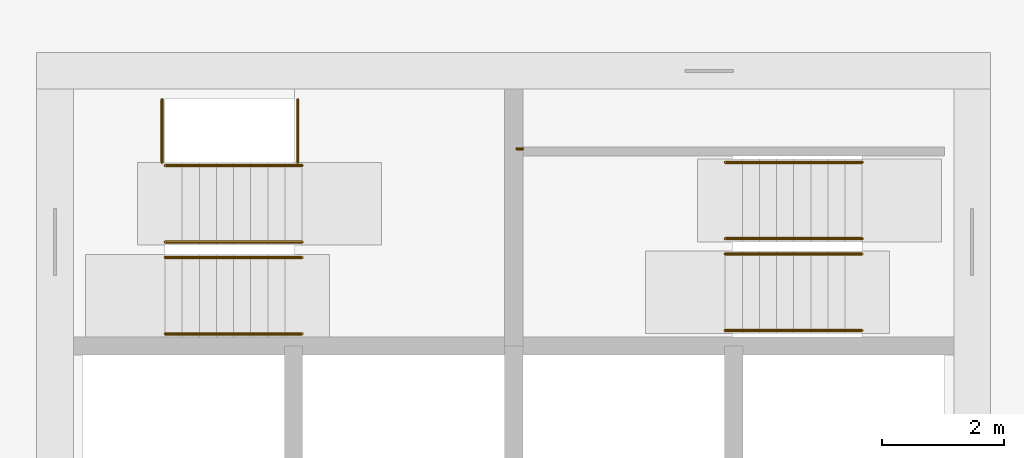
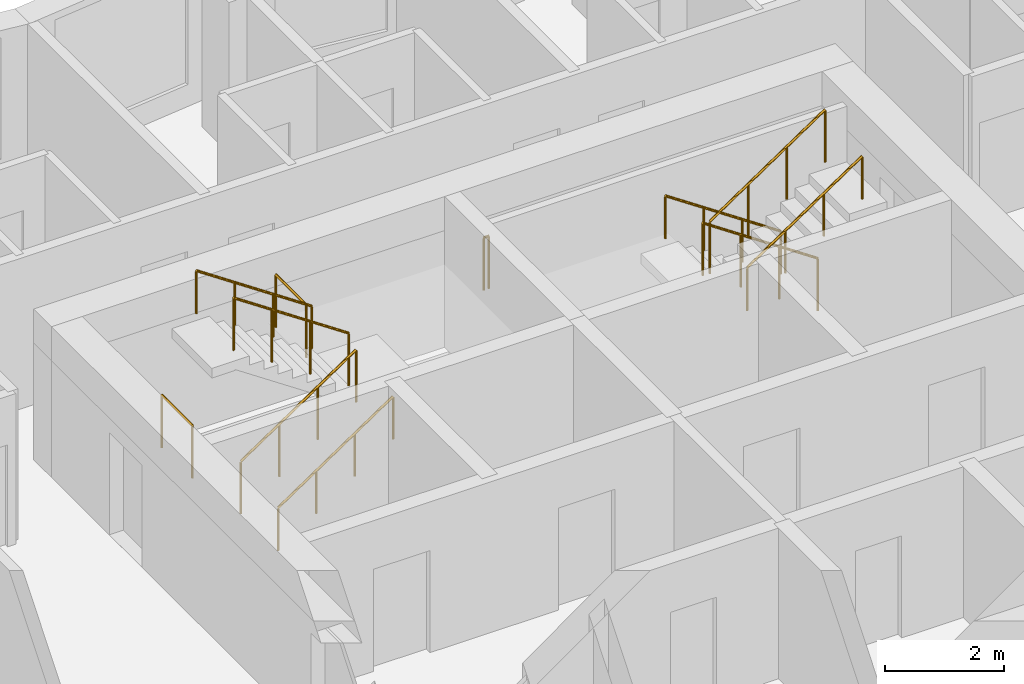
# One storey, part 11 of 12: 11 railings.
"""IFC4 building model written with IfcOpenShell, lengths in metres."""

from ifc_helpers import new_model, si_unit, direction, frame, origin, origin_2d, place, context, subcontext, project, spatial, circle, extrude, material, type_object, element, save


model = new_model("IFC4")

# Units and contexts
model_context = context("Model", 3, precision=1e-05, world=origin(), true_north=direction((0.0, 1.0)))
body_context = subcontext(model_context, "Body", "Model", "MODEL_VIEW")
ifc_project = project(units=[si_unit("LENGTHUNIT", "METRE"), si_unit("AREAUNIT", "SQUARE_METRE"), si_unit("VOLUMEUNIT", "CUBIC_METRE"), si_unit("PLANEANGLEUNIT", "RADIAN"), si_unit("MASSUNIT", "GRAM", prefix="KILO")], contexts=[model_context])

# Site, building, storey
site_placement = place(None, origin())
site = spatial("IfcSite", under=ifc_project, at=site_placement, CompositionType="ELEMENT")
building_placement = place(site_placement, origin())
building = spatial("IfcBuilding", under=site, at=building_placement, Name="Windrow Commons", CompositionType="ELEMENT")
storey_placement = place(building_placement, frame((0.0, 0.0, 152.4)))
storey = spatial("IfcBuildingStorey", under=building, at=storey_placement, Name="L41", CompositionType="ELEMENT", Elevation=152.4)

# Railings
ifc_material_1 = material(Name="Steel S355", Category="steel")
railing_type_1 = type_object("IfcRailingType", Name="Core stair guard 1100", PredefinedType="GUARDRAIL", material=ifc_material_1)
railing_1_placement = place(storey_placement, frame((59.1, 62.05, 0.1889)))
element("IfcRailing", 1, at=railing_1_placement, inside=storey, type_object=railing_type_1, Name="L41 ST-A1 stair guard 1", PredefinedType="GUARDRAIL", context=body_context, shape_type="SweptSolid", body=[
    extrude(circle(Radius=0.024, at=origin_2d()), frame((0.0, 0.0, 1.076), z_axis=(0.8290030985, 0.0, 0.5592440099), x_axis=(0.0, 1.0, 0.0)), (0.0, 0.0, 1.0), 2.702),
    extrude(circle(Radius=0.021, at=origin_2d()), origin(), (0.0, 0.0, 1.0), 1.052),
    extrude(circle(Radius=0.021, at=origin_2d()), frame((0.7467, 0.0, 0.5037)), (0.0, 0.0, 1.0), 1.052),
    extrude(circle(Radius=0.021, at=origin_2d()), frame((1.4933, 0.0, 1.0074)), (0.0, 0.0, 1.0), 1.052),
    extrude(circle(Radius=0.021, at=origin_2d()), frame((2.24, 0.0, 1.5111)), (0.0, 0.0, 1.0), 1.052),
])
railing_2_placement = place(storey_placement, frame((61.34, 62.3, 1.8889)))
element("IfcRailing", 2, at=railing_2_placement, inside=storey, type_object=railing_type_1, Name="L41 ST-A1 stair guard 2", PredefinedType="GUARDRAIL", context=body_context, shape_type="SweptSolid", body=[
    extrude(circle(Radius=0.024, at=origin_2d()), frame((0.0, 0.0, 1.076), z_axis=(-0.8290030985, 0.0, 0.5592440099), x_axis=(0.0, -1.0, 0.0)), (0.0, 0.0, 1.0), 2.702),
    extrude(circle(Radius=0.021, at=origin_2d()), origin(), (0.0, 0.0, 1.0), 1.052),
    extrude(circle(Radius=0.021, at=origin_2d()), frame((-0.7467, 0.0, 0.5037)), (0.0, 0.0, 1.0), 1.052),
    extrude(circle(Radius=0.021, at=origin_2d()), frame((-1.4933, 0.0, 1.0074)), (0.0, 0.0, 1.0), 1.052),
    extrude(circle(Radius=0.021, at=origin_2d()), frame((-2.24, 0.0, 1.5111)), (0.0, 0.0, 1.0), 1.052),
])
for number, where, name in (
    (3, (59.05, 63.6, 0.0), "L41 ST-A1 stair guard 3"),
    (4, (61.27, 63.6, 1.7), "L41 ST-A1 stair guard 4"),
):
    element("IfcRailing", number, at=place(storey_placement, frame(where)), inside=storey, type_object=railing_type_1, Name=name, PredefinedType="GUARDRAIL", context=body_context, shape_type="SweptSolid", body=[
        extrude(circle(Radius=0.024, at=origin_2d()), frame((0.0, 0.0, 1.076), z_axis=(0.0, 1.0, 0.0), x_axis=(-1.0, 0.0, 0.0)), (0.0, 0.0, 1.0), 1.03),
        extrude(circle(Radius=0.021, at=origin_2d()), origin(), (0.0, 0.0, 1.0), 1.052),
        extrude(circle(Radius=0.021, at=origin_2d()), frame((0.0, 1.03, 0.0)), (0.0, 0.0, 1.0), 1.052),
    ])
railing_3_placement = place(storey_placement, frame((70.5, 62.355, 0.1889)))
element("IfcRailing", 5, at=railing_3_placement, inside=storey, type_object=railing_type_1, Name="L41 ST-A2 stair guard 1", PredefinedType="GUARDRAIL", context=body_context, shape_type="SweptSolid", body=[
    extrude(circle(Radius=0.024, at=origin_2d()), frame((0.0, 0.0, 1.076), z_axis=(-0.8290030985, 0.0, 0.5592440099), x_axis=(0.0, -1.0, 0.0)), (0.0, 0.0, 1.0), 2.702),
    extrude(circle(Radius=0.021, at=origin_2d()), origin(), (0.0, 0.0, 1.0), 1.052),
    extrude(circle(Radius=0.021, at=origin_2d()), frame((-0.7467, 0.0, 0.5037)), (0.0, 0.0, 1.0), 1.052),
    extrude(circle(Radius=0.021, at=origin_2d()), frame((-1.4933, 0.0, 1.0074)), (0.0, 0.0, 1.0), 1.052),
    extrude(circle(Radius=0.021, at=origin_2d()), frame((-2.24, 0.0, 1.5111)), (0.0, 0.0, 1.0), 1.052),
])
railing_4_placement = place(storey_placement, frame((68.26, 62.105, 1.8889)))
element("IfcRailing", 6, at=railing_4_placement, inside=storey, type_object=railing_type_1, Name="L41 ST-A2 stair guard 2", PredefinedType="GUARDRAIL", context=body_context, shape_type="SweptSolid", body=[
    extrude(circle(Radius=0.024, at=origin_2d()), frame((0.0, 0.0, 1.076), z_axis=(0.8290030985, 0.0, 0.5592440099), x_axis=(0.0, 1.0, 0.0)), (0.0, 0.0, 1.0), 2.702),
    extrude(circle(Radius=0.021, at=origin_2d()), origin(), (0.0, 0.0, 1.0), 1.052),
    extrude(circle(Radius=0.021, at=origin_2d()), frame((0.7467, 0.0, 0.5037)), (0.0, 0.0, 1.0), 1.052),
    extrude(circle(Radius=0.021, at=origin_2d()), frame((1.4933, 0.0, 1.0074)), (0.0, 0.0, 1.0), 1.052),
    extrude(circle(Radius=0.021, at=origin_2d()), frame((2.24, 0.0, 1.5111)), (0.0, 0.0, 1.0), 1.052),
])
railing_5_placement = place(storey_placement, frame((64.95, 63.825, 1.7)))
element("IfcRailing", 7, at=railing_5_placement, inside=storey, type_object=railing_type_1, Name="L41 ST-A2 stair guard 3", PredefinedType="GUARDRAIL", context=body_context, shape_type="SweptSolid", body=[
    extrude(circle(Radius=0.024, at=origin_2d()), frame((0.0, 0.0, 1.076), z_axis=(-1.0, 0.0, 0.0), x_axis=(0.0, -1.0, 0.0)), (0.0, 0.0, 1.0), 0.1),
    extrude(circle(Radius=0.021, at=origin_2d()), origin(), (0.0, 0.0, 1.0), 1.052),
    extrude(circle(Radius=0.021, at=origin_2d()), frame((-0.1, 0.0, 0.0)), (0.0, 0.0, 1.0), 1.052),
])
ifc_material_2 = material(Name="Steel S355", Category="steel")
railing_type_2 = type_object("IfcRailingType", Name="Core stair handrail 900", PredefinedType="HANDRAIL", material=ifc_material_2)
railing_6_placement = place(storey_placement, frame((59.1, 60.8, 0.1889)))
element("IfcRailing", 8, at=railing_6_placement, inside=storey, type_object=railing_type_2, Name="L41 ST-A1 stair handrail 1", PredefinedType="HANDRAIL", context=body_context, shape_type="SweptSolid", body=[
    extrude(circle(Radius=0.024, at=origin_2d()), frame((0.0, 0.0, 0.876), z_axis=(0.8290030985, 0.0, 0.5592440099), x_axis=(0.0, 1.0, 0.0)), (0.0, 0.0, 1.0), 2.702),
    extrude(circle(Radius=0.021, at=origin_2d()), origin(), (0.0, 0.0, 1.0), 0.852),
    extrude(circle(Radius=0.021, at=origin_2d()), frame((0.7467, 0.0, 0.5037)), (0.0, 0.0, 1.0), 0.852),
    extrude(circle(Radius=0.021, at=origin_2d()), frame((1.4933, 0.0, 1.0074)), (0.0, 0.0, 1.0), 0.852),
    extrude(circle(Radius=0.021, at=origin_2d()), frame((2.24, 0.0, 1.5111)), (0.0, 0.0, 1.0), 0.852),
])
for number, where, name in (
    (9, (61.34, 63.55, 1.8889), "L41 ST-A1 stair handrail 2"),
    (10, (70.5, 63.605, 0.1889), "L41 ST-A2 stair handrail 1"),
):
    element("IfcRailing", number, at=place(storey_placement, frame(where)), inside=storey, type_object=railing_type_2, Name=name, PredefinedType="HANDRAIL", context=body_context, shape_type="SweptSolid", body=[
        extrude(circle(Radius=0.024, at=origin_2d()), frame((0.0, 0.0, 0.876), z_axis=(-0.8290030985, 0.0, 0.5592440099), x_axis=(0.0, -1.0, 0.0)), (0.0, 0.0, 1.0), 2.702),
        extrude(circle(Radius=0.021, at=origin_2d()), origin(), (0.0, 0.0, 1.0), 0.852),
        extrude(circle(Radius=0.021, at=origin_2d()), frame((-0.7467, 0.0, 0.5037)), (0.0, 0.0, 1.0), 0.852),
        extrude(circle(Radius=0.021, at=origin_2d()), frame((-1.4933, 0.0, 1.0074)), (0.0, 0.0, 1.0), 0.852),
        extrude(circle(Radius=0.021, at=origin_2d()), frame((-2.24, 0.0, 1.5111)), (0.0, 0.0, 1.0), 0.852),
    ])
railing_7_placement = place(storey_placement, frame((68.26, 60.855, 1.8889)))
element("IfcRailing", 11, at=railing_7_placement, inside=storey, type_object=railing_type_2, Name="L41 ST-A2 stair handrail 2", PredefinedType="HANDRAIL", context=body_context, shape_type="SweptSolid", body=[
    extrude(circle(Radius=0.024, at=origin_2d()), frame((0.0, 0.0, 0.876), z_axis=(0.8290030985, 0.0, 0.5592440099), x_axis=(0.0, 1.0, 0.0)), (0.0, 0.0, 1.0), 2.702),
    extrude(circle(Radius=0.021, at=origin_2d()), origin(), (0.0, 0.0, 1.0), 0.852),
    extrude(circle(Radius=0.021, at=origin_2d()), frame((0.7467, 0.0, 0.5037)), (0.0, 0.0, 1.0), 0.852),
    extrude(circle(Radius=0.021, at=origin_2d()), frame((1.4933, 0.0, 1.0074)), (0.0, 0.0, 1.0), 0.852),
    extrude(circle(Radius=0.021, at=origin_2d()), frame((2.24, 0.0, 1.5111)), (0.0, 0.0, 1.0), 0.852),
])

save(model, "model.ifc")
